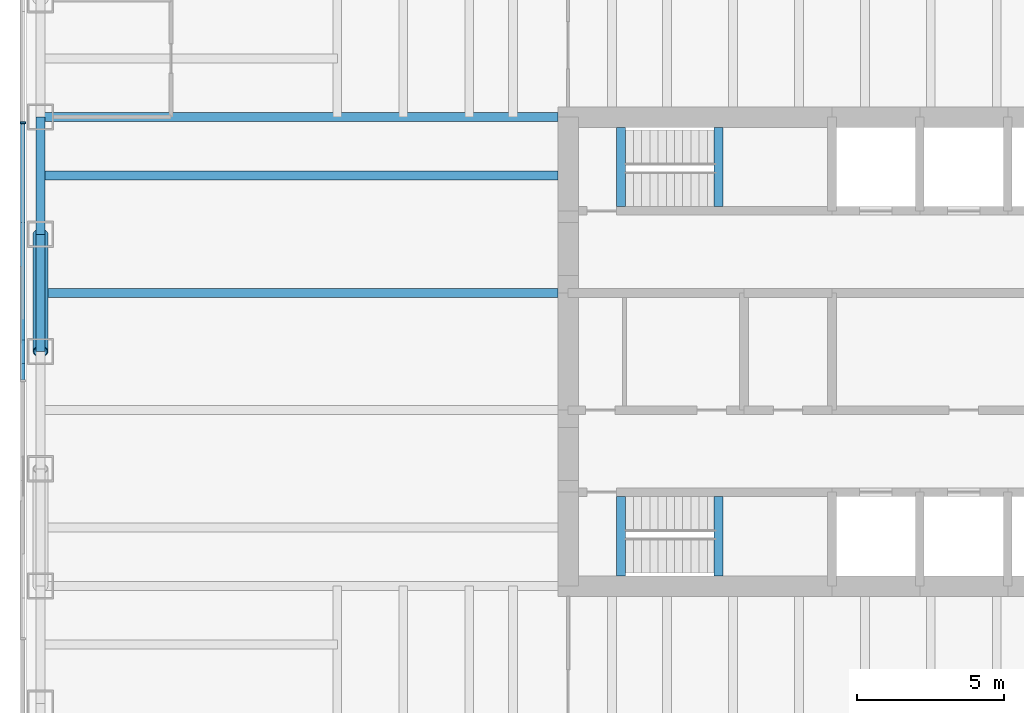
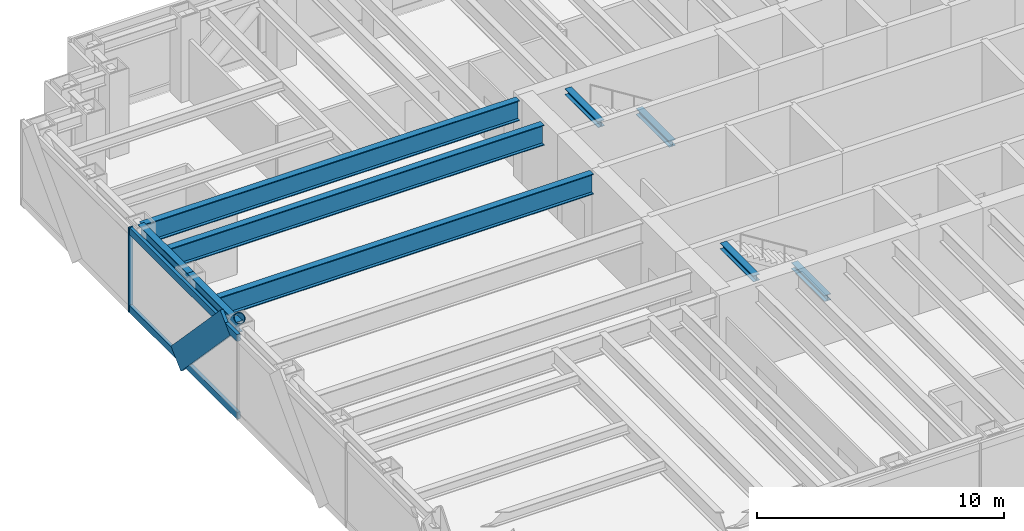
# One storey, part 3 of 15: 9 beams, 5 members, 1 element without a shape of its own.
"""IFC4 building model written with IfcOpenShell, lengths in metres."""

import ifcopenshell
import ifcopenshell.guid

model = None  # the IFC model being written
_history = None  # IfcOwnerHistory: only IFC2X3 demands one
_inside = {}  # id of a spatial element -> (the spatial element, [elements in it])
_under = {}  # id of a project, library or spatial element -> (it, [spatial elements below it])
_declared = {}  # id of a project -> (the project, [libraries it declares])
_typed = {}  # id of a type object -> (the type object, [elements of that type])
_made_of = {}  # id of a material, layer set ... -> (it, [elements and type objects made of it])


def new_model(schema):
    """Start an empty IFC model of exactly this schema.

    Asked for "IFC4X3", IfcOpenShell would pick the latest addendum, in which some entities
    have other attributes; the version numbers below select the first issue.
    IFC2X3 requires an IfcOwnerHistory on every rooted entity: one is made here for all.
    """
    global model, _history
    if schema == "IFC4X3":
        model = ifcopenshell.file(schema_version=(4, 3, 0, 0))
    else:
        model = ifcopenshell.file(schema=schema)
    _inside.clear()
    _under.clear()
    _declared.clear()
    _typed.clear()
    _made_of.clear()
    _history = None
    if model.schema == "IFC2X3":
        org = make("IfcOrganization", Name="unknown")
        user = make(
            "IfcPersonAndOrganization",
            ThePerson=make("IfcPerson", FamilyName="unknown"),
            TheOrganization=org,
        )
        app = make(
            "IfcApplication",
            ApplicationDeveloper=org,
            Version="unknown",
            ApplicationFullName="unknown",
            ApplicationIdentifier="unknown",
        )
        _history = make(
            "IfcOwnerHistory",
            OwningUser=user,
            OwningApplication=app,
            ChangeAction="ADDED",
            CreationDate=0,
        )
    return model


def make(cls, **values):
    """One entity of the class cls with the attributes given. An attribute that is None is left unset."""
    return model.create_entity(
        cls, **{name: value for name, value in values.items() if value is not None}
    )


def rooted(cls, **values):
    """An entity with a GlobalId (a new one), such as an element, a storey or a relation."""
    return make(cls, GlobalId=ifcopenshell.guid.new(), OwnerHistory=_history, **values)


def si_unit(unit_type, name, prefix=None):
    """IfcSIUnit, for example si_unit("LENGTHUNIT", "METRE", prefix="MILLI")."""
    return make("IfcSIUnit", UnitType=unit_type, Prefix=prefix, Name=name)


def assignment(units):
    """IfcUnitAssignment: the units of a project."""
    return None if units is None else make("IfcUnitAssignment", Units=units)


def point(xyz):
    """IfcCartesianPoint."""
    return None if xyz is None else make("IfcCartesianPoint", Coordinates=xyz)


def direction(xyz):
    """IfcDirection."""
    return None if xyz is None else make("IfcDirection", DirectionRatios=xyz)


def frame(location, z_axis=None, x_axis=None):
    """IfcAxis2Placement3D, a coordinate frame: its origin and axes. An axis left out is left unset."""
    return make(
        "IfcAxis2Placement3D",
        Location=point(location),
        Axis=direction(z_axis),
        RefDirection=direction(x_axis),
    )


def frame_2d(location, x_axis=None):
    """IfcAxis2Placement2D, a coordinate frame in the plane: its origin and x axis."""
    return make(
        "IfcAxis2Placement2D", Location=point(location), RefDirection=direction(x_axis)
    )


def origin():
    """The frame at (0, 0, 0) with its axes left unset."""
    return frame((0.0, 0.0, 0.0))


def origin_2d():
    """The frame at (0, 0) in the plane with its x axis left unset."""
    return frame_2d((0.0, 0.0))


def place(relative_to, where):
    """IfcLocalPlacement: puts the frame where relative to a parent placement (None: the world)."""
    return make(
        "IfcLocalPlacement", PlacementRelTo=relative_to, RelativePlacement=where
    )


def context(
    kind, dimensions, precision=None, world=None, true_north=None, identifier=None
):
    """IfcGeometricRepresentationContext, for example the 3D "Model" context."""
    return make(
        "IfcGeometricRepresentationContext",
        ContextIdentifier=identifier,
        ContextType=kind,
        CoordinateSpaceDimension=dimensions,
        Precision=precision,
        WorldCoordinateSystem=world,
        TrueNorth=true_north,
    )


def subcontext(parent, identifier, kind, view, scale=None):
    """IfcGeometricRepresentationSubContext, for example "Body" below "Model"."""
    return make(
        "IfcGeometricRepresentationSubContext",
        ContextIdentifier=identifier,
        ContextType=kind,
        ParentContext=parent,
        TargetScale=scale,
        TargetView=view,
    )


def project(units=None, contexts=None):
    """IfcProject with its units and contexts."""
    return rooted(
        "IfcProject",
        Name="project",
        RepresentationContexts=contexts,
        UnitsInContext=assignment(units),
    )


def spatial(cls, under=None, at=None, **own):
    """A site, building, storey or space (cls), placed at a placement, below another one or the project."""
    s = rooted(cls, ObjectPlacement=at, **own)
    if under is not None:
        _under.setdefault(under.id(), (under, []))[1].append(s)
    return s


def profile(cls, at=None, kind="AREA", **sizes):
    """A parametric profile (cls). Its sizes go by their IFC names, for example OverallWidth=200.0."""
    return make(cls, ProfileType=kind, Position=at, **sizes)


def rectangle(**sizes):
    """IfcRectangleProfileDef."""
    return profile("IfcRectangleProfileDef", **sizes)


def hollow_circle(**sizes):
    """IfcCircleHollowProfileDef."""
    return profile("IfcCircleHollowProfileDef", **sizes)


def i_section(**sizes):
    """IfcIShapeProfileDef."""
    return profile("IfcIShapeProfileDef", **sizes)


def extrude(swept, where, along, depth):
    """IfcExtrudedAreaSolid: the profile swept, set in the frame where, extruded along a direction by depth."""
    return make(
        "IfcExtrudedAreaSolid",
        SweptArea=swept,
        Position=where,
        ExtrudedDirection=direction(along),
        Depth=depth,
    )


def shape(context_of_items, identifier, shape_type, items):
    """IfcShapeRepresentation: the items that make up one representation, for example the "Body"."""
    return make(
        "IfcShapeRepresentation",
        ContextOfItems=context_of_items,
        RepresentationIdentifier=identifier,
        RepresentationType=shape_type,
        Items=items,
    )


def material(Name=None, Category=None):
    """IfcMaterial."""
    return make("IfcMaterial", Name=Name, Category=Category)


def material_profile(
    of_material, cross_section, Name=None, Category=None, Priority=None
):
    """IfcMaterialProfile: a cross section and its material."""
    return make(
        "IfcMaterialProfile",
        Name=Name,
        Material=of_material,
        Profile=cross_section,
        Priority=Priority,
        Category=Category,
    )


def profile_set(profiles, Name=None, composite=None):
    """IfcMaterialProfileSet."""
    return make(
        "IfcMaterialProfileSet",
        Name=Name,
        MaterialProfiles=profiles,
        CompositeProfile=composite,
    )


def made_of(thing, what):
    """Note that an element or type object is made of a material, layer set ...; save() writes the relation."""
    if what is not None:
        _made_of.setdefault(what.id(), (what, []))[1].append(thing)
    return thing


def type_object(cls, material=None, **own):
    """A type object (cls), such as IfcWallType, which elements share."""
    return made_of(rooted(cls, **own), material)


def element(
    cls,
    number,
    at=None,
    inside=None,
    cuts=None,
    type_object=None,
    material=None,
    context=None,
    identifier="Body",
    shape_type=None,
    held_by="IfcProductDefinitionShape",
    body=None,
    shapes=None,
    **own,
):
    """One element of the class cls, such as IfcWall. Its Tag is "e" and its number.

    at: its placement. inside: the storey or other place that contains it. cuts: it is an
    opening in that element (IfcRelVoidsElement). A single representation is given by context,
    identifier, shape_type and body (its items); several are given by shapes. held_by: the class
    of the entity that holds the representations. save() writes the other relations.
    """
    e = rooted(cls, Tag="e%d" % number, ObjectPlacement=at, **own)
    if body is not None:
        shapes = [shape(context, identifier, shape_type, body)]
    if shapes is not None:
        e.Representation = make(held_by, Representations=shapes)
    if inside is not None:
        _inside.setdefault(inside.id(), (inside, []))[1].append(e)
    if cuts is not None:
        rooted(
            "IfcRelVoidsElement", RelatingBuildingElement=cuts, RelatedOpeningElement=e
        )
    if type_object is not None:
        _typed.setdefault(type_object.id(), (type_object, []))[1].append(e)
    return made_of(e, material)


def aggregate(whole, parts):
    """IfcRelAggregates: a whole, such as a stair, and the parts it consists of."""
    return rooted("IfcRelAggregates", RelatingObject=whole, RelatedObjects=parts)


def save(model, path):
    """Write the relations noted so far, then the file.

    IfcRelAggregates (storeys below a building ...), IfcRelContainedInSpatialStructure (elements
    in a storey), IfcRelDefinesByType, IfcRelAssociatesMaterial and IfcRelDeclares: one each for
    every whole, place, type object, material and project.
    """
    for whole, parts in _under.values():
        aggregate(whole, parts)
    for where, things in _inside.values():
        rooted(
            "IfcRelContainedInSpatialStructure",
            RelatedElements=things,
            RelatingStructure=where,
        )
    for kind, things in _typed.values():
        rooted("IfcRelDefinesByType", RelatedObjects=things, RelatingType=kind)
    for what, things in _made_of.values():
        rooted("IfcRelAssociatesMaterial", RelatedObjects=things, RelatingMaterial=what)
    for by, libraries in _declared.values():
        rooted("IfcRelDeclares", RelatingContext=by, RelatedDefinitions=libraries)
    model.write(path)


model = new_model("IFC4")

# Units and contexts
model_context = context("Model", 3, precision=1e-05, world=origin(), true_north=direction((0.0, 1.0)))
body_context = subcontext(model_context, "Body", "Model", "MODEL_VIEW")
ifc_project = project(units=[si_unit("LENGTHUNIT", "METRE"), si_unit("AREAUNIT", "SQUARE_METRE"), si_unit("VOLUMEUNIT", "CUBIC_METRE"), si_unit("PLANEANGLEUNIT", "RADIAN"), si_unit("MASSUNIT", "GRAM", prefix="KILO")], contexts=[model_context])

# Site, building, storey
site_placement = place(None, origin())
site = spatial("IfcSite", under=ifc_project, at=site_placement, CompositionType="ELEMENT")
building_placement = place(site_placement, origin())
building = spatial("IfcBuilding", under=site, at=building_placement, Name="Rheinbord Bourse Tower", CompositionType="ELEMENT")
storey_placement = place(building_placement, frame((0.0, 0.0, 308.89990234375)))
storey = spatial("IfcBuildingStorey", under=building, at=storey_placement, Name="L70", CompositionType="ELEMENT", Elevation=308.89990234375)

# Curtain wall, members
ifc_material_1 = material(Name="Dark glass and black aluminium", Category="aluminium")
curtain_wall_type = type_object("IfcCurtainWallType", Name="CW3 DARK GLASS CURTAIN WALL", PredefinedType="USERDEFINED", material=ifc_material_1)
curtain_wall_placement = place(storey_placement, origin())
curtain_wall = element("IfcCurtainWall", 1, at=curtain_wall_placement, inside=storey, type_object=curtain_wall_type, Name="Curtain wall CW3 W L70", ObjectType="UNITISED CURTAIN WALL", PredefinedType="USERDEFINED")
ifc_material_2 = material(Name="Black anodised aluminium", Category="aluminium")
ifc_material_profile_1 = material_profile(ifc_material_2, rectangle(XDim=0.14990234375, YDim=1.10791015625, at=origin_2d()), Name="CW3 DIAGONAL MULLION 1108x150")
ifc_profile_set_1 = profile_set([ifc_material_profile_1], Name="Black anodised aluminium")
member_type_1 = type_object("IfcMemberType", Name="CW3 BLACK DIAGONAL MULLION", PredefinedType="USERDEFINED", material=ifc_profile_set_1)
member_1_placement = place(storey_placement, frame((-0.60009765625, 28.0, 0.0), z_axis=(0.0, -0.689638355374, 0.72415394689), x_axis=(1.0, 0.0, 0.0)))
member_1 = element("IfcMember", 2, at=member_1_placement, type_object=member_type_1, Name="CW3 diagonal mullion d", ObjectType="DIAGONAL MULLION", PredefinedType="USERDEFINED", context=body_context, shape_type="SweptSolid", body=[
    extrude(rectangle(XDim=0.14990234375, YDim=1.10791015625, at=origin_2d()), origin(), (0.0, 0.0, 1.0), 5.800048828125),
])
ifc_material_3 = material(Name="Black anodised aluminium", Category="aluminium")
ifc_material_profile_2 = material_profile(ifc_material_3, rectangle(XDim=0.199951171875, YDim=0.06494140625, at=origin_2d()), Name="CW3 MULLION 65x200")
ifc_profile_set_2 = profile_set([ifc_material_profile_2], Name="Black anodised aluminium")
member_type_2 = type_object("IfcMemberType", Name="CW3 BLACK MULLION", PredefinedType="MULLION", material=ifc_profile_set_2)
member_2_placement = place(storey_placement, frame((-0.60009765625, 31.800048828125, 0.0), z_axis=(0.0, 0.0, 1.0), x_axis=(1.0, 0.0, 0.0)))
member_2 = element("IfcMember", 3, at=member_2_placement, type_object=member_type_2, Name="CW3 mullion 2", PredefinedType="MULLION", context=body_context, shape_type="SweptSolid", body=[
    extrude(rectangle(XDim=0.199951171875, YDim=0.06494140625, at=origin_2d()), origin(), (0.0, 0.0, 1.0), 4.2001953125),
])
ifc_material_4 = material(Name="Black anodised aluminium", Category="aluminium")
ifc_material_profile_3 = material_profile(ifc_material_4, rectangle(XDim=0.14990234375, YDim=0.35009765625, at=origin_2d()), Name="CW3 TRANSOM 350x150")
ifc_profile_set_3 = profile_set([ifc_material_profile_3], Name="Black anodised aluminium")
member_type_3 = type_object("IfcMemberType", Name="CW3 BLACK TRANSOM", PredefinedType="USERDEFINED", material=ifc_profile_set_3)
member_3_placement = place(storey_placement, frame((-0.60009765625, 31.767578125, 0.175048828125), z_axis=(0.0, -1.0, 0.0), x_axis=(1.0, 0.0, 0.0)))
member_3 = element("IfcMember", 4, at=member_3_placement, type_object=member_type_3, Name="CW3 transom 2.1", ObjectType="TRANSOM", PredefinedType="USERDEFINED", context=body_context, shape_type="SweptSolid", body=[
    extrude(rectangle(XDim=0.14990234375, YDim=0.35009765625, at=origin_2d()), origin(), (0.0, 0.0, 1.0), 8.735107421875),
])
member_4_placement = place(storey_placement, frame((-0.60009765625, 31.767578125, 4.025146484375), z_axis=(0.0, -1.0, 0.0), x_axis=(1.0, 0.0, 0.0)))
member_4 = element("IfcMember", 5, at=member_4_placement, type_object=member_type_3, Name="CW3 transom 2.2", ObjectType="TRANSOM", PredefinedType="USERDEFINED", context=body_context, shape_type="SweptSolid", body=[
    extrude(rectangle(XDim=0.14990234375, YDim=0.35009765625, at=origin_2d()), origin(), (0.0, 0.0, 1.0), 8.735107421875),
])
aggregate(curtain_wall, [member_2, member_3, member_4, member_1])

# Beams
ifc_material_5 = material(Name="Steel S460", Category="steel")
ifc_material_profile_4 = material_profile(ifc_material_5, i_section(OverallWidth=0.302001953125, OverallDepth=1.008056640625, WebThickness=0.02099609375, FlangeThickness=0.0400390625, at=origin_2d()), Name="HEM 1000")
ifc_profile_set_4 = profile_set([ifc_material_profile_4], Name="Steel S460")
beam_type_1 = type_object("IfcBeamType", Name="END BEAM HEM 1000", PredefinedType="BEAM", material=ifc_profile_set_4)
for number, where, z_axis, x_axis, name in (
    (6, (0.0, 26.0, 3.5361328125), (1.0, 0.0, 0.0), (0.0, 1.0, 0.0), "End beam west 26 L71"),
    (7, (0.0, 30.0, 3.5361328125), (1.0, 0.0, 0.0), (0.0, 1.0, 0.0), "End beam west 30 L71"),
):
    element("IfcBeam", number, at=place(storey_placement, frame(where, z_axis=z_axis, x_axis=x_axis)), inside=storey, type_object=beam_type_1, Name=name, PredefinedType="BEAM", context=body_context, shape_type="SweptSolid", body=[
        extrude(i_section(OverallWidth=0.302001953125, OverallDepth=1.008056640625, WebThickness=0.02099609375, FlangeThickness=0.0400390625, at=origin_2d()), origin(), (0.0, 0.0, 1.0), 17.64990234375),
    ])
ifc_material_6 = material(Name="Steel S460", Category="steel")
ifc_material_profile_5 = material_profile(ifc_material_6, i_section(OverallWidth=0.302001953125, OverallDepth=1.008056640625, WebThickness=0.02099609375, FlangeThickness=0.0400390625, at=origin_2d()), Name="HEM 1000")
ifc_profile_set_5 = profile_set([ifc_material_profile_5], Name="Steel S460")
beam_type_2 = type_object("IfcBeamType", Name="GIRDER HEM 1000", PredefinedType="BEAM", material=ifc_profile_set_5)
beam_placement = place(storey_placement, frame((0.0, 32.0, 3.5361328125), z_axis=(1.0, 0.0, 0.0), x_axis=(0.0, 1.0, 0.0)))
element("IfcBeam", 8, at=beam_placement, inside=storey, type_object=beam_type_2, Name="Girder west 32 L71", PredefinedType="BEAM", context=body_context, shape_type="SweptSolid", body=[
    extrude(i_section(OverallWidth=0.302001953125, OverallDepth=1.008056640625, WebThickness=0.02099609375, FlangeThickness=0.0400390625, at=origin_2d()), origin(), (0.0, 0.0, 1.0), 17.64990234375),
])
ifc_material_7 = material(Name="Steel S460", Category="steel")
ifc_material_profile_6 = material_profile(ifc_material_7, i_section(OverallWidth=0.300048828125, OverallDepth=0.300048828125, WebThickness=0.010986328125, FlangeThickness=0.01904296875, at=origin_2d()), Name="HEB 300")
ifc_profile_set_6 = profile_set([ifc_material_profile_6], Name="Steel S460")
beam_type_3 = type_object("IfcBeamType", Name="LANDING TRIMMER HEB 300", PredefinedType="BEAM", material=ifc_profile_set_6)
for number, where, z_axis, x_axis, name in (
    (9, (23.1298828125, 16.35009765625, 1.75), (0.0, 1.0, 0.0), (-1.0, 0.0, 0.0), "Landing trimmer ST1 L70"),
    (10, (19.800048828125, 16.35009765625, 3.89013671875), (0.0, 1.0, 0.0), (-1.0, 0.0, 0.0), "Well trimmer ST1 under L71"),
    (11, (23.1298828125, 28.949951171875, 1.75), (0.0, 1.0, 0.0), (-1.0, 0.0, 0.0), "Landing trimmer ST2 L70"),
    (12, (19.800048828125, 28.949951171875, 3.89013671875), (0.0, 1.0, 0.0), (-1.0, 0.0, 0.0), "Well trimmer ST2 under L71"),
):
    element("IfcBeam", number, at=place(storey_placement, frame(where, z_axis=z_axis, x_axis=x_axis)), inside=storey, type_object=beam_type_3, Name=name, PredefinedType="BEAM", context=body_context, shape_type="SweptSolid", body=[
        extrude(i_section(OverallWidth=0.300048828125, OverallDepth=0.300048828125, WebThickness=0.010986328125, FlangeThickness=0.01904296875, at=origin_2d()), origin(), (0.0, 0.0, 1.0), 2.699951171875),
    ])

# Member
ifc_material_8 = material(Name="Steel S460", Category="steel")
ifc_material_profile_7 = material_profile(ifc_material_8, hollow_circle(Radius=0.25390625, WallThickness=0.030029296875, at=origin_2d()), Name="CHS 508x30")
ifc_profile_set_7 = profile_set([ifc_material_profile_7], Name="Steel S460")
member_type_4 = type_object("IfcMemberType", Name="MEGABRACE CHS 508x30", PredefinedType="BRACE", material=ifc_profile_set_7)
member_5_placement = place(storey_placement, frame((0.0, 28.0, 0.0), z_axis=(0.0, -0.689638355374, 0.72415394689), x_axis=(1.0, 0.0, 0.0)))
element("IfcMember", 13, at=member_5_placement, inside=storey, type_object=member_type_4, Name="Megabrace W face line d L70", PredefinedType="BRACE", context=body_context, shape_type="SweptSolid", body=[
    extrude(hollow_circle(Radius=0.25390625, WallThickness=0.030029296875, at=origin_2d()), origin(), (0.0, 0.0, 1.0), 5.800048828125),
])

# Beams
ifc_material_9 = material(Name="Steel S460", Category="steel")
ifc_material_profile_8 = material_profile(ifc_material_9, i_section(OverallWidth=0.300048828125, OverallDepth=0.550048828125, WebThickness=0.014892578125, FlangeThickness=0.029052734375, at=origin_2d()), Name="HEB 550")
ifc_profile_set_8 = profile_set([ifc_material_profile_8], Name="Steel S460")
beam_type_4 = type_object("IfcBeamType", Name="SPANDREL HEB 550", PredefinedType="SPANDREL", material=ifc_profile_set_8)
for number, where, z_axis, x_axis, name in (
    (14, (0.0, 32.0, 3.76513671875), (0.0, -1.0, 0.0), (1.0, 0.0, 0.0), "Spandrel W-32-W-28 under L71"),
    (15, (0.0, 28.0, 3.76513671875), (0.0, -1.0, 0.0), (1.0, 0.0, 0.0), "Spandrel W-28-W-24 under L71"),
):
    element("IfcBeam", number, at=place(storey_placement, frame(where, z_axis=z_axis, x_axis=x_axis)), inside=storey, type_object=beam_type_4, Name=name, PredefinedType="SPANDREL", context=body_context, shape_type="SweptSolid", body=[
        extrude(i_section(OverallWidth=0.300048828125, OverallDepth=0.550048828125, WebThickness=0.014892578125, FlangeThickness=0.029052734375, at=origin_2d()), origin(), (0.0, 0.0, 1.0), 4.0),
    ])

save(model, "model.ifc")
